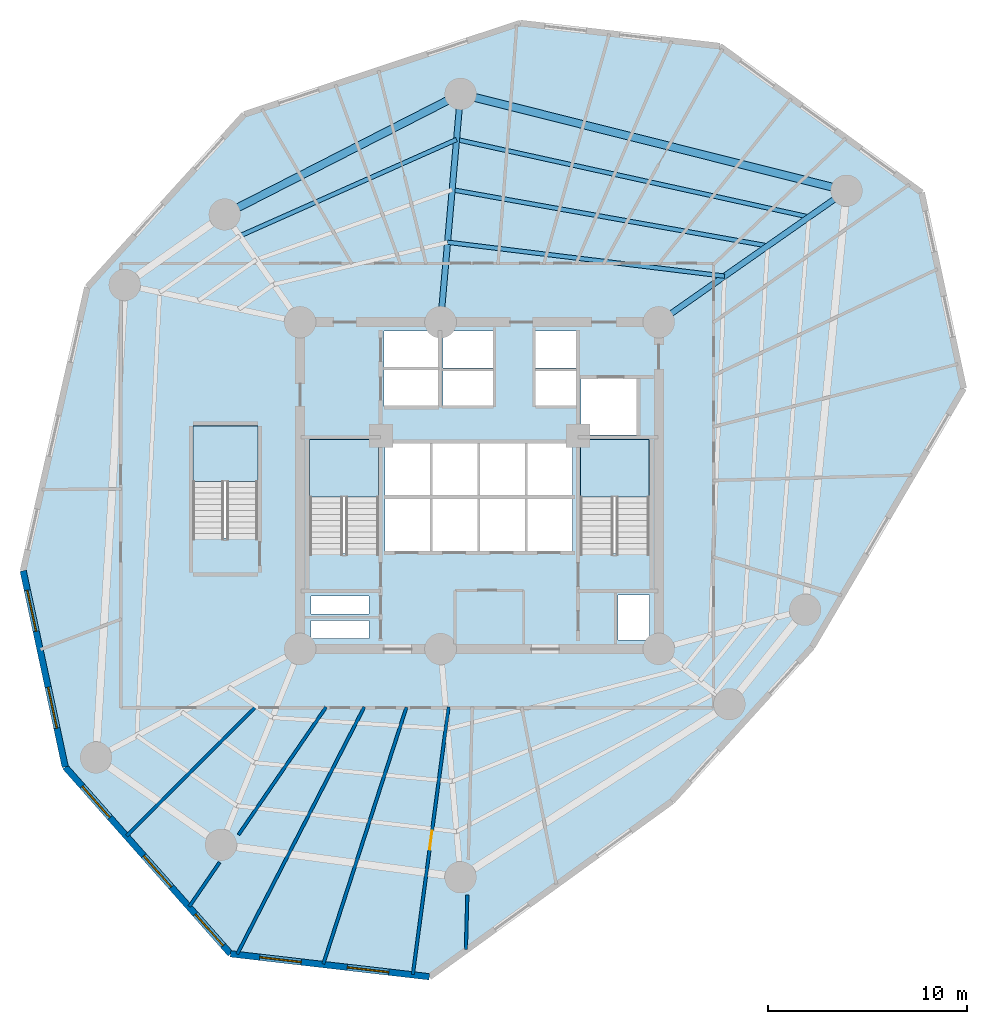
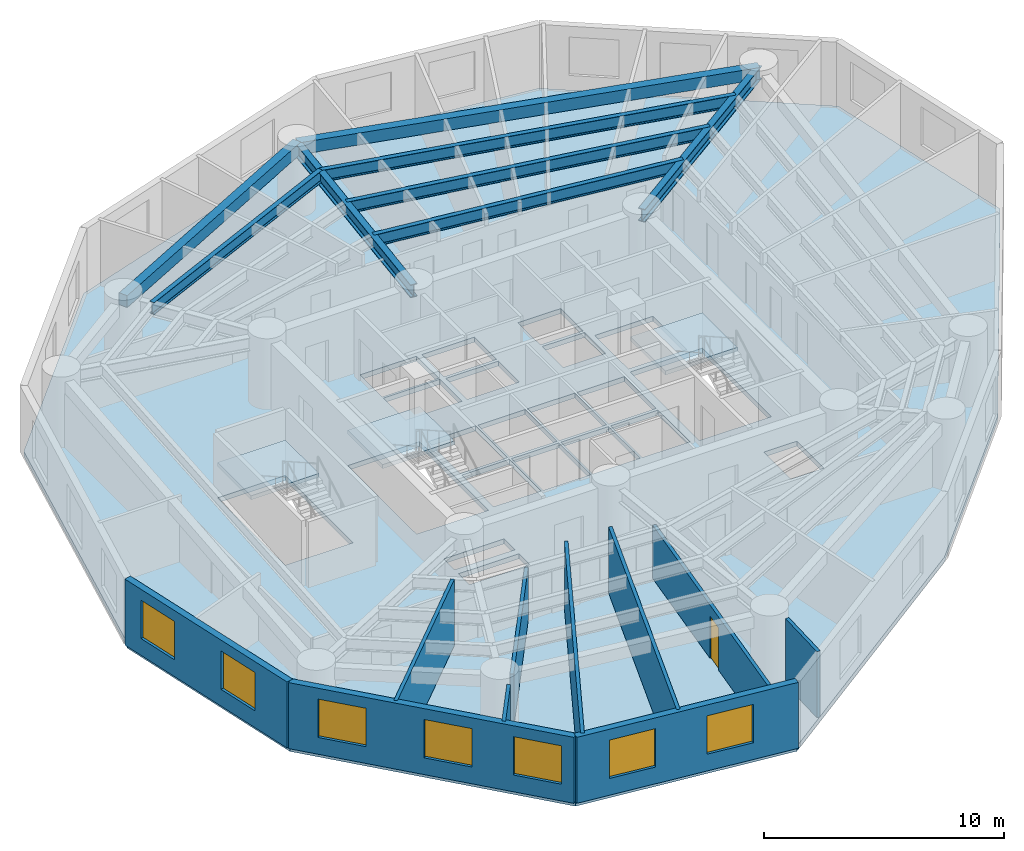
# One storey, part 2 of 7: 10 walls, 8 beams, 7 windows, 4 slabs, 1 door, 8 openings, 3 elements without a shape of their own.
"""IFC4 building model written with IfcOpenShell, lengths in metres."""

from ifc_helpers import new_model, si_unit, direction, frame, frame_2d, origin, origin_with_axes, origin_2d, place, context, subcontext, project, spatial, polyline, rectangle, i_section, outline, extrude, source, transform, mapped, material, layer, layer_set, material_profile, profile_set, type_object, element, fill, aggregate, save


model = new_model("IFC4")

# Units and contexts
model_context = context("Model", 3, precision=1e-05, world=origin(), true_north=direction((0.0, 1.0)))
body_context = subcontext(model_context, "Body", "Model", "MODEL_VIEW")
ifc_project = project(units=[si_unit("LENGTHUNIT", "METRE"), si_unit("AREAUNIT", "SQUARE_METRE"), si_unit("VOLUMEUNIT", "CUBIC_METRE"), si_unit("PLANEANGLEUNIT", "RADIAN"), si_unit("MASSUNIT", "GRAM", prefix="KILO")], contexts=[model_context])

# Site, building, storey
site_placement = place(None, origin())
site = spatial("IfcSite", under=ifc_project, at=site_placement, CompositionType="ELEMENT")
building_placement = place(site_placement, origin())
building = spatial("IfcBuilding", under=site, at=building_placement, Name="Karkom Vertical University and Central Library", CompositionType="ELEMENT")
storey_placement = place(building_placement, frame((0.0, 0.0, 80.5)))
storey = spatial("IfcBuildingStorey", under=building, at=storey_placement, Name="L21", CompositionType="ELEMENT", Elevation=80.5)

# Beams
ifc_material_1 = material(Name="Steel S355", Category="steel")
ifc_material_profile_1 = material_profile(ifc_material_1, i_section(OverallWidth=0.300048828125, OverallDepth=0.64990234375, WebThickness=0.01611328125, FlangeThickness=0.031005859375, FilletRadius=0.027099609375, at=origin_2d()), Name="HE 650 B")
ifc_profile_set_1 = profile_set([ifc_material_profile_1], Name="Steel S355")
beam_type_1 = type_object("IfcBeamType", Name="STR-BM-SB-HE650", PredefinedType="USERDEFINED", material=ifc_profile_set_1)
shared_shape_1 = source(origin_with_axes(), body_context, "Body", "SweptSolid", [
    extrude(i_section(OverallWidth=0.300048828125, OverallDepth=0.64990234375, WebThickness=0.01611328125, FlangeThickness=0.031005859375, FilletRadius=0.027099609375, at=origin_2d()), origin(), (0.0, 0.0, 1.0), 11.49951171875),
])
beam_1_placement = place(storey_placement, frame((37.5, 34.699951171875, 3.02490234375), z_axis=(0.81915012564, 0.573579176457, 0.0), x_axis=(-0.573579176457, 0.81915012564, 0.0)))
element("IfcBeam", 1, at=beam_1_placement, inside=storey, type_object=beam_type_1, Name="Level 21 Radial Frame Girder 02", ObjectType="GIRDER", PredefinedType="USERDEFINED", context=body_context, shape_type="MappedRepresentation", body=[
    mapped(shared_shape_1, transform((0.0, 0.0, 0.0), scale=1.0)),
])
shared_shape_2 = source(origin_with_axes(), body_context, "Body", "SweptSolid", [
    extrude(i_section(OverallWidth=0.300048828125, OverallDepth=0.64990234375, WebThickness=0.01611328125, FlangeThickness=0.031005859375, FilletRadius=0.027099609375, at=origin_2d()), origin(), (0.0, 0.0, 1.0), 11.499755859375),
])
beam_2_placement = place(storey_placement, frame((26.550048828125, 34.699951171875, 3.02490234375), z_axis=(0.087127973109, 0.99619712723, 0.0), x_axis=(-0.99619712723, 0.087127973109, 0.0)))
element("IfcBeam", 2, at=beam_2_placement, inside=storey, type_object=beam_type_1, Name="Level 21 Radial Frame Girder 03", ObjectType="GIRDER", PredefinedType="USERDEFINED", context=body_context, shape_type="MappedRepresentation", body=[
    mapped(shared_shape_2, transform((0.0, 0.0, 0.0), scale=1.0)),
])
ifc_material_2 = material(Name="Precast concrete C45/55", Category="concrete")
ifc_material_profile_2 = material_profile(ifc_material_2, rectangle(XDim=0.39990234375, YDim=0.60009765625, at=origin_2d()), Name="SPB-400x600")
ifc_profile_set_2 = profile_set([ifc_material_profile_2], Name="Precast concrete C45/55")
beam_type_2 = type_object("IfcBeamType", Name="STR-BM-SP-1", PredefinedType="SPANDREL", material=ifc_profile_set_2)
shared_shape_3 = source(origin_with_axes(), body_context, "Body", "SweptSolid", [
    extrude(rectangle(XDim=0.39990234375, YDim=0.60009765625, at=origin_2d()), origin(), (0.0, 0.0, 1.0), 19.968505859375),
])
beam_3_placement = place(storey_placement, frame((46.919921875, 41.2958984375, 3.050048828125), z_axis=(-0.969928522391, 0.243389937039, 0.0), x_axis=(-0.243389937039, -0.969928522391, 0.0)))
element("IfcBeam", 3, at=beam_3_placement, inside=storey, type_object=beam_type_2, Name="Level 21 Perimeter Spandrel Beam 02", PredefinedType="SPANDREL", context=body_context, shape_type="MappedRepresentation", body=[
    mapped(shared_shape_3, transform((0.0, 0.0, 0.0), scale=1.0)),
])
shared_shape_4 = source(origin_with_axes(), body_context, "Body", "SweptSolid", [
    extrude(rectangle(XDim=0.39990234375, YDim=0.60009765625, at=origin_2d()), origin(), (0.0, 0.0, 1.0), 13.29443359375),
])
beam_4_placement = place(storey_placement, frame((27.552001953125, 46.156005859375, 3.050048828125), z_axis=(-0.890447746793, -0.455085497716, 0.0), x_axis=(0.455085497716, -0.890447746793, 0.0)))
element("IfcBeam", 4, at=beam_4_placement, inside=storey, type_object=beam_type_2, Name="Level 21 Perimeter Spandrel Beam 03", PredefinedType="SPANDREL", context=body_context, shape_type="MappedRepresentation", body=[
    mapped(shared_shape_4, transform((0.0, 0.0, 0.0), scale=1.0)),
])
ifc_material_profile_3 = material_profile(ifc_material_1, i_section(OverallWidth=0.219970703125, OverallDepth=0.60009765625, WebThickness=0.011962890625, FlangeThickness=0.01904296875, FilletRadius=0.02392578125, at=origin_2d()), Name="IPE 600")
ifc_profile_set_3 = profile_set([ifc_material_profile_3], Name="Steel S355")
beam_type_3 = type_object("IfcBeamType", Name="STR-BM-SB-IPE600", PredefinedType="BEAM", material=ifc_profile_set_3)
shared_shape_5 = source(origin_with_axes(), body_context, "Body", "SweptSolid", [
    extrude(i_section(OverallWidth=0.219970703125, OverallDepth=0.60009765625, WebThickness=0.011962890625, FlangeThickness=0.01904296875, FilletRadius=0.02392578125, at=origin_2d()), origin(), (0.0, 0.0, 1.0), 14.000244140625),
])
beam_5_placement = place(storey_placement, frame((40.797119140625, 37.008544921875, 3.050048828125), z_axis=(-0.992590166403, 0.121510335198, 0.0), x_axis=(-0.121510335198, -0.992590166403, 0.0)))
element("IfcBeam", 5, at=beam_5_placement, inside=storey, type_object=beam_type_3, Name="Level 21 Secondary Composite Floor Beam 1.02", PredefinedType="BEAM", context=body_context, shape_type="MappedRepresentation", body=[
    mapped(shared_shape_5, transform((0.0, 0.0, 0.0), scale=1.0)),
])
shared_shape_6 = source(origin_with_axes(), body_context, "Body", "SweptSolid", [
    extrude(i_section(OverallWidth=0.219970703125, OverallDepth=0.60009765625, WebThickness=0.011962890625, FlangeThickness=0.01904296875, FilletRadius=0.02392578125, at=origin_2d()), origin(), (0.0, 0.0, 1.0), 16.08154296875),
])
beam_6_placement = place(storey_placement, frame((42.963623046875, 38.525634765625, 3.050048828125), z_axis=(-0.984517708807, 0.175285142111, 0.0), x_axis=(-0.175285142111, -0.984517708807, 0.0)))
element("IfcBeam", 6, at=beam_6_placement, inside=storey, type_object=beam_type_3, Name="Level 21 Secondary Composite Floor Beam 2.02", PredefinedType="BEAM", context=body_context, shape_type="MappedRepresentation", body=[
    mapped(shared_shape_6, transform((0.0, 0.0, 0.0), scale=1.0)),
])
shared_shape_7 = source(origin_with_axes(), body_context, "Body", "SweptSolid", [
    extrude(i_section(OverallWidth=0.219970703125, OverallDepth=0.60009765625, WebThickness=0.011962890625, FlangeThickness=0.01904296875, FilletRadius=0.02392578125, at=origin_2d()), origin(), (0.0, 0.0, 1.0), 18.106689453125),
])
beam_7_placement = place(storey_placement, frame((45.035888671875, 39.976806640625, 3.050048828125), z_axis=(-0.976674731786, 0.214724167926, 0.0), x_axis=(-0.214724167926, -0.976674731786, 0.0)))
element("IfcBeam", 7, at=beam_7_placement, inside=storey, type_object=beam_type_3, Name="Level 21 Secondary Composite Floor Beam 3.02", PredefinedType="BEAM", context=body_context, shape_type="MappedRepresentation", body=[
    mapped(shared_shape_7, transform((0.0, 0.0, 0.0), scale=1.0)),
])
shared_shape_8 = source(origin_with_axes(), body_context, "Body", "SweptSolid", [
    extrude(i_section(OverallWidth=0.219970703125, OverallDepth=0.60009765625, WebThickness=0.011962890625, FlangeThickness=0.01904296875, FilletRadius=0.02392578125, at=origin_2d()), origin(), (0.0, 0.0, 1.0), 11.908203125),
])
beam_8_placement = place(storey_placement, frame((27.3515625, 43.86474609375, 3.050048828125), z_axis=(-0.913682996781, -0.406427584441, 0.0), x_axis=(0.406427584441, -0.913682996781, 0.0)))
element("IfcBeam", 8, at=beam_8_placement, inside=storey, type_object=beam_type_3, Name="Level 21 Secondary Composite Floor Beam 3.03", PredefinedType="BEAM", context=body_context, shape_type="MappedRepresentation", body=[
    mapped(shared_shape_8, transform((0.0, 0.0, 0.0), scale=1.0)),
])

# Stair, slab
ifc_material_3 = material(Name="Concrete C45/55", Category="concrete")
stair_type_1 = type_object("IfcStairType", Name="INT-STR-ST-MAIN", PredefinedType="HALF_TURN_STAIR", material=ifc_material_3)
stair_1_placement = place(storey_placement, origin())
stair_1 = element("IfcStair", 9, at=stair_1_placement, inside=storey, type_object=stair_type_1, Name="Level 21 Tower Protected Exit Stair ST-1", PredefinedType="HALF_TURN_STAIR")
ifc_layer_1 = layer(ifc_material_3, 0.199951171875)
ifc_layer_set_1 = layer_set([ifc_layer_1], Name="Concrete C45/55")
slab_type_1 = type_object("IfcSlabType", Name="INT-SLB-LANDING", PredefinedType="LANDING", material=ifc_layer_set_1)
slab_1_placement = place(storey_placement, frame((0.0, 0.0, 1.60009765625)))
slab_1 = element("IfcSlab", 10, at=slab_1_placement, type_object=slab_type_1, Name="ST-1 landing 1", PredefinedType="LANDING", context=body_context, shape_type="SweptSolid", body=[
    extrude(outline(polyline([(23.43994140625, 25.919921875), (23.43994140625, 28.820068359375), (19.97998046875, 28.820068359375), (19.97998046875, 25.919921875), (23.43994140625, 25.919921875)])), origin(), (0.0, 0.0, 1.0), 0.199951171875),
])
aggregate(stair_1, [slab_1])

stair_2_placement = place(storey_placement, origin())
stair_2 = element("IfcStair", 11, at=stair_2_placement, inside=storey, type_object=stair_type_1, Name="Level 21 Tower Protected Exit Stair ST-2", PredefinedType="HALF_TURN_STAIR")
slab_2_placement = place(storey_placement, frame((0.0, 0.0, 1.60009765625)))
slab_2 = element("IfcSlab", 12, at=slab_2_placement, type_object=slab_type_1, Name="ST-2 landing 1", PredefinedType="LANDING", context=body_context, shape_type="SweptSolid", body=[
    extrude(outline(polyline([(37.02001953125, 25.919921875), (37.02001953125, 28.820068359375), (33.56005859375, 28.820068359375), (33.56005859375, 25.919921875), (37.02001953125, 25.919921875)])), origin(), (0.0, 0.0, 1.0), 0.199951171875),
])
aggregate(stair_2, [slab_2])

stair_type_2 = type_object("IfcStairType", Name="INT-STR-ST-SEC", PredefinedType="HALF_TURN_STAIR", material=ifc_material_3)
stair_3_placement = place(storey_placement, origin())
stair_3 = element("IfcStair", 13, at=stair_3_placement, inside=storey, type_object=stair_type_2, Name="Level 21 Academic Zone Protected Exit Stair ST-3", PredefinedType="HALF_TURN_STAIR")
slab_3_placement = place(storey_placement, frame((0.0, 0.0, 1.60009765625)))
slab_3 = element("IfcSlab", 14, at=slab_3_placement, type_object=slab_type_1, Name="ST-3 landing 1", PredefinedType="LANDING", context=body_context, shape_type="SweptSolid", body=[
    extrude(outline(polyline([(17.3798828125, 26.699951171875), (17.3798828125, 29.5), (14.1201171875, 29.5), (14.1201171875, 26.699951171875), (17.3798828125, 26.699951171875)])), origin(), (0.0, 0.0, 1.0), 0.199951171875),
])
aggregate(stair_3, [slab_3])

# Slab
ifc_layer_2 = layer(ifc_material_3, 0.25)
ifc_layer_set_2 = layer_set([ifc_layer_2], Name="Concrete C45/55")
slab_type_2 = type_object("IfcSlabType", Name="STR-SLB-FLR-250", PredefinedType="FLOOR", material=ifc_layer_set_2)
slab_4_placement = place(storey_placement, frame((0.0, 0.0, -0.25)))
element("IfcSlab", 15, at=slab_4_placement, inside=storey, type_object=slab_type_2, Name="Level 21 Tower Structural Floor Slab", PredefinedType="FLOOR", context=body_context, shape_type="SweptSolid", body=[
    extrude(outline(polyline([(16.7001953125, 45.12158203125), (8.82958984375, 36.453857421875), (5.60205078125, 22.223388671875), (7.71337890625, 12.382080078125), (16.00634765625, 3.00244140625), (25.983642578125, 1.85009765625), (38.161865234375, 10.667236328125), (45.188720703125, 18.406005859375), (52.793701171875, 31.3759765625), (50.686767578125, 41.196044921875), (40.552978515625, 48.548095703125), (30.55419921875, 49.703125), (16.7001953125, 45.12158203125)]), holes=[polyline([(19.97998046875, 23.0849609375), (23.43994140625, 23.0849609375), (23.43994140625, 28.820068359375), (19.97998046875, 28.820068359375), (19.97998046875, 23.0849609375)]), polyline([(33.56005859375, 23.0849609375), (37.02001953125, 23.0849609375), (37.02001953125, 28.820068359375), (33.56005859375, 28.820068359375), (33.56005859375, 23.0849609375)]), polyline([(14.1201171875, 23.864990234375), (17.3798828125, 23.864990234375), (17.3798828125, 29.5), (14.1201171875, 29.5), (14.1201171875, 23.864990234375)]), polyline([(23.75, 23.199951171875), (26.030029296875, 23.199951171875), (26.030029296875, 25.85009765625), (23.75, 25.85009765625), (23.75, 23.199951171875)]), polyline([(26.1298828125, 23.199951171875), (28.409912109375, 23.199951171875), (28.409912109375, 25.85009765625), (26.1298828125, 25.85009765625), (26.1298828125, 23.199951171875)]), polyline([(28.510009765625, 23.199951171875), (30.7900390625, 23.199951171875), (30.7900390625, 25.85009765625), (28.510009765625, 25.85009765625), (28.510009765625, 23.199951171875)]), polyline([(30.889892578125, 23.199951171875), (33.169921875, 23.199951171875), (33.169921875, 25.85009765625), (30.889892578125, 25.85009765625), (30.889892578125, 23.199951171875)]), polyline([(23.75, 26.0), (26.030029296875, 26.0), (26.030029296875, 28.64990234375), (23.75, 28.64990234375), (23.75, 26.0)]), polyline([(26.1298828125, 26.0), (28.409912109375, 26.0), (28.409912109375, 28.64990234375), (26.1298828125, 28.64990234375), (26.1298828125, 26.0)]), polyline([(28.510009765625, 26.0), (30.7900390625, 26.0), (30.7900390625, 28.64990234375), (28.510009765625, 28.64990234375), (28.510009765625, 26.0)]), polyline([(30.889892578125, 26.0), (33.169921875, 26.0), (33.169921875, 28.64990234375), (30.889892578125, 28.64990234375), (30.889892578125, 26.0)]), polyline([(26.679931640625, 30.5), (29.199951171875, 30.5), (29.199951171875, 32.25), (26.679931640625, 32.25), (26.679931640625, 30.5)]), polyline([(26.679931640625, 32.39990234375), (29.199951171875, 32.39990234375), (29.199951171875, 34.25), (26.679931640625, 34.25), (26.679931640625, 32.39990234375)]), polyline([(31.300048828125, 30.5), (33.35009765625, 30.5), (33.35009765625, 32.25), (31.300048828125, 32.25), (31.300048828125, 30.5)]), polyline([(31.300048828125, 32.39990234375), (33.35009765625, 32.39990234375), (33.35009765625, 34.25), (31.300048828125, 34.25), (31.300048828125, 32.39990234375)]), polyline([(23.719970703125, 30.47998046875), (26.429931640625, 30.47998046875), (26.429931640625, 32.320068359375), (23.719970703125, 32.320068359375), (23.719970703125, 30.47998046875)]), polyline([(23.719970703125, 32.419921875), (26.429931640625, 32.419921875), (26.429931640625, 34.260009765625), (23.719970703125, 34.260009765625), (23.719970703125, 32.419921875)]), polyline([(33.60009765625, 29.050048828125), (36.39990234375, 29.050048828125), (36.39990234375, 31.85009765625), (33.60009765625, 31.85009765625), (33.60009765625, 29.050048828125)]), polyline([(20.050048828125, 18.820068359375), (22.949951171875, 18.820068359375), (22.949951171875, 19.719970703125), (20.050048828125, 19.719970703125), (20.050048828125, 18.820068359375)]), polyline([(20.050048828125, 20.06005859375), (22.949951171875, 20.06005859375), (22.949951171875, 20.9599609375), (20.050048828125, 20.9599609375), (20.050048828125, 20.06005859375)]), polyline([(35.4599609375, 18.760009765625), (37.0400390625, 18.760009765625), (37.0400390625, 21.010009765625), (35.4599609375, 21.010009765625), (35.4599609375, 18.760009765625)])]), origin(), (0.0, 0.0, 1.0), 0.25),
])

# Wall, openings, windows
ifc_material_4 = material(Name="Brick-faced precast concrete C45/55", Category="masonry")
ifc_layer_3 = layer(ifc_material_4, 0.320068359375)
ifc_layer_set_3 = layer_set([ifc_layer_3], Name="Brick-faced precast concrete C45/55")
wall_type_1 = type_object("IfcWallType", Name="ENV-WL-BRK-320", PredefinedType="SOLIDWALL", material=ifc_layer_set_3)
wall_1_placement = place(storey_placement, frame((5.60205078125, 22.223388671875, 0.0), z_axis=(0.0, 0.0, 1.0), x_axis=(0.209764304932, -0.977751981014, 0.0)))
wall_1 = element("IfcWall", 16, at=wall_1_placement, inside=storey, type_object=wall_type_1, Name="Level 21 Brick-Faced Precast Facade Wall 03", PredefinedType="SOLIDWALL", context=body_context, shape_type="SweptSolid", body=[
    extrude(rectangle(XDim=10.065185546875, YDim=0.320068359375, at=frame_2d((5.03271484375, 0.0))), origin(), (0.0, 0.0, 1.0), 3.35009765625),
])
opening_1_placement = place(wall_1_placement, frame((1.0, 0.0, 0.85009765625)))
opening_1 = element("IfcOpeningElement", 17, at=opening_1_placement, cuts=wall_1, Name="Opening WN-03", PredefinedType="OPENING", context=body_context, shape_type="SweptSolid", body=[
    extrude(rectangle(XDim=2.10009765625, YDim=1.949951171875, at=frame_2d((1.050048828125, 0.97509765625))), frame((0.0, 0.169921875, 0.0), z_axis=(0.0, -1.0, 0.0), x_axis=(1.0, 0.0, 0.0)), (0.0, 0.0, 1.0), 0.340087890625),
])
opening_2_placement = place(wall_1_placement, frame((5.97265625, 0.0, 0.85009765625)))
opening_2 = element("IfcOpeningElement", 18, at=opening_2_placement, cuts=wall_1, Name="Opening WN-03", PredefinedType="OPENING", context=body_context, shape_type="SweptSolid", body=[
    extrude(rectangle(XDim=2.10009765625, YDim=1.949951171875, at=frame_2d((1.050048828125, 0.97509765625))), frame((0.0, 0.169921875, 0.0), z_axis=(0.0, -1.0, 0.0), x_axis=(1.0, 0.0, 0.0)), (0.0, 0.0, 1.0), 0.340087890625),
])
ifc_material_5 = material(Name="Aluminium thermal-break frame with solar-control IGU", Category="aluminium")
window_type = type_object("IfcWindowType", Name="ENV-WIN-WN-03", PartitioningType="SINGLE_PANEL", PredefinedType="WINDOW", material=ifc_material_5)
shared_shape_9 = source(origin_with_axes(), body_context, "Body", "SweptSolid", [
    extrude(rectangle(XDim=2.10009765625, YDim=1.949951171875, at=frame_2d((1.050048828125, 0.97509765625))), frame((0.0, 0.030029296875, 0.0), z_axis=(0.0, -1.0, 0.0), x_axis=(1.0, 0.0, 0.0)), (0.0, 0.0, 1.0), 0.06005859375),
])
window_1_placement = place(opening_1_placement, origin())
window_1 = element("IfcWindow", 19, at=window_1_placement, inside=storey, type_object=window_type, Name="Level 21 Punched Window 3.1", OverallHeight=1.949951171875, OverallWidth=2.10009765625, PartitioningType="SINGLE_PANEL", PredefinedType="WINDOW", context=body_context, shape_type="MappedRepresentation", body=[
    mapped(shared_shape_9, transform((0.0, 0.0, 0.0), scale=1.0)),
])
fill(opening_1, window_1)
window_2_placement = place(opening_2_placement, origin())
window_2 = element("IfcWindow", 20, at=window_2_placement, inside=storey, type_object=window_type, Name="Level 21 Punched Window 3.2", OverallHeight=1.949951171875, OverallWidth=2.10009765625, PartitioningType="SINGLE_PANEL", PredefinedType="WINDOW", context=body_context, shape_type="MappedRepresentation", body=[
    mapped(shared_shape_9, transform((0.0, 0.0, 0.0), scale=1.0)),
])
fill(opening_2, window_2)

wall_2_placement = place(storey_placement, frame((7.71337890625, 12.382080078125, 0.0), z_axis=(0.0, 0.0, 1.0), x_axis=(0.66237652876, -0.749171098046, 0.0)))
wall_2 = element("IfcWall", 21, at=wall_2_placement, inside=storey, type_object=wall_type_1, Name="Level 21 Brick-Faced Precast Facade Wall 04", PredefinedType="SOLIDWALL", context=body_context, shape_type="SweptSolid", body=[
    extrude(rectangle(XDim=12.52001953125, YDim=0.320068359375, at=frame_2d((6.260009765625, 0.0))), origin(), (0.0, 0.0, 1.0), 3.35009765625),
])
opening_3_placement = place(wall_2_placement, frame((1.29248046875, 0.0, 0.85009765625)))
opening_3 = element("IfcOpeningElement", 22, at=opening_3_placement, cuts=wall_2, Name="Opening WN-03", PredefinedType="OPENING", context=body_context, shape_type="SweptSolid", body=[
    extrude(rectangle(XDim=2.10009765625, YDim=1.949951171875, at=frame_2d((1.050048828125, 0.97509765625))), frame((0.0, 0.169921875, 0.0), z_axis=(0.0, -1.0, 0.0), x_axis=(1.0, 0.0, 0.0)), (0.0, 0.0, 1.0), 0.340087890625),
])
opening_4_placement = place(wall_2_placement, frame((5.944091796875, 0.0, 0.85009765625)))
opening_4 = element("IfcOpeningElement", 23, at=opening_4_placement, cuts=wall_2, Name="Opening WN-03", PredefinedType="OPENING", context=body_context, shape_type="SweptSolid", body=[
    extrude(rectangle(XDim=2.10009765625, YDim=1.949951171875, at=frame_2d((1.050048828125, 0.97509765625))), frame((0.0, 0.169921875, 0.0), z_axis=(0.0, -1.0, 0.0), x_axis=(1.0, 0.0, 0.0)), (0.0, 0.0, 1.0), 0.340087890625),
])
opening_5_placement = place(wall_2_placement, frame((9.861328125, 0.0, 0.85009765625)))
opening_5 = element("IfcOpeningElement", 24, at=opening_5_placement, cuts=wall_2, Name="Opening WN-03", PredefinedType="OPENING", context=body_context, shape_type="SweptSolid", body=[
    extrude(rectangle(XDim=2.10009765625, YDim=1.949951171875, at=frame_2d((1.050048828125, 0.97509765625))), frame((0.0, 0.169921875, 0.0), z_axis=(0.0, -1.0, 0.0), x_axis=(1.0, 0.0, 0.0)), (0.0, 0.0, 1.0), 0.340087890625),
])
window_3_placement = place(opening_3_placement, origin())
window_3 = element("IfcWindow", 25, at=window_3_placement, inside=storey, type_object=window_type, Name="Level 21 Punched Window 4.1", OverallHeight=1.949951171875, OverallWidth=2.10009765625, PartitioningType="SINGLE_PANEL", PredefinedType="WINDOW", context=body_context, shape_type="MappedRepresentation", body=[
    mapped(shared_shape_9, transform((0.0, 0.0, 0.0), scale=1.0)),
])
fill(opening_3, window_3)
window_4_placement = place(opening_4_placement, origin())
window_4 = element("IfcWindow", 26, at=window_4_placement, inside=storey, type_object=window_type, Name="Level 21 Punched Window 4.2", OverallHeight=1.949951171875, OverallWidth=2.10009765625, PartitioningType="SINGLE_PANEL", PredefinedType="WINDOW", context=body_context, shape_type="MappedRepresentation", body=[
    mapped(shared_shape_9, transform((0.0, 0.0, 0.0), scale=1.0)),
])
fill(opening_4, window_4)
window_5_placement = place(opening_5_placement, origin())
window_5 = element("IfcWindow", 27, at=window_5_placement, inside=storey, type_object=window_type, Name="Level 21 Punched Window 4.3", OverallHeight=1.949951171875, OverallWidth=2.10009765625, PartitioningType="SINGLE_PANEL", PredefinedType="WINDOW", context=body_context, shape_type="MappedRepresentation", body=[
    mapped(shared_shape_9, transform((0.0, 0.0, 0.0), scale=1.0)),
])
fill(opening_5, window_5)

wall_3_placement = place(storey_placement, frame((16.00634765625, 3.00244140625, 0.0), z_axis=(0.0, 0.0, 1.0), x_axis=(0.993396261239, -0.114733901511, 0.0)))
wall_3 = element("IfcWall", 28, at=wall_3_placement, inside=storey, type_object=wall_type_1, Name="Level 21 Brick-Faced Precast Facade Wall 05", PredefinedType="SOLIDWALL", context=body_context, shape_type="SweptSolid", body=[
    extrude(rectangle(XDim=10.043701171875, YDim=0.320068359375, at=frame_2d((5.02197265625, 0.0))), origin(), (0.0, 0.0, 1.0), 3.35009765625),
])
opening_6_placement = place(wall_3_placement, frame((1.472412109375, 0.0, 0.85009765625)))
opening_6 = element("IfcOpeningElement", 29, at=opening_6_placement, cuts=wall_3, Name="Opening WN-03", PredefinedType="OPENING", context=body_context, shape_type="SweptSolid", body=[
    extrude(rectangle(XDim=2.10009765625, YDim=1.949951171875, at=frame_2d((1.050048828125, 0.97509765625))), frame((0.0, 0.169921875, 0.0), z_axis=(0.0, -1.0, 0.0), x_axis=(1.0, 0.0, 0.0)), (0.0, 0.0, 1.0), 0.340087890625),
])
opening_7_placement = place(wall_3_placement, frame((5.902099609375, 0.0, 0.85009765625)))
opening_7 = element("IfcOpeningElement", 30, at=opening_7_placement, cuts=wall_3, Name="Opening WN-03", PredefinedType="OPENING", context=body_context, shape_type="SweptSolid", body=[
    extrude(rectangle(XDim=2.10009765625, YDim=1.949951171875, at=frame_2d((1.050048828125, 0.97509765625))), frame((0.0, 0.169921875, 0.0), z_axis=(0.0, -1.0, 0.0), x_axis=(1.0, 0.0, 0.0)), (0.0, 0.0, 1.0), 0.340087890625),
])
window_6_placement = place(opening_6_placement, origin())
window_6 = element("IfcWindow", 31, at=window_6_placement, inside=storey, type_object=window_type, Name="Level 21 Punched Window 5.1", OverallHeight=1.949951171875, OverallWidth=2.10009765625, PartitioningType="SINGLE_PANEL", PredefinedType="WINDOW", context=body_context, shape_type="MappedRepresentation", body=[
    mapped(shared_shape_9, transform((0.0, 0.0, 0.0), scale=1.0)),
])
fill(opening_6, window_6)
window_7_placement = place(opening_7_placement, origin())
window_7 = element("IfcWindow", 32, at=window_7_placement, inside=storey, type_object=window_type, Name="Level 21 Punched Window 5.2", OverallHeight=1.949951171875, OverallWidth=2.10009765625, PartitioningType="SINGLE_PANEL", PredefinedType="WINDOW", context=body_context, shape_type="MappedRepresentation", body=[
    mapped(shared_shape_9, transform((0.0, 0.0, 0.0), scale=1.0)),
])
fill(opening_7, window_7)

# Walls
ifc_material_6 = material(Name="Insulated metal-stud drywall 160mm", Category="gypsum")
ifc_layer_4 = layer(ifc_material_6, 0.159912109375)
ifc_layer_set_4 = layer_set([ifc_layer_4], Name="Insulated metal-stud drywall 160mm")
wall_type_2 = type_object("IfcWallType", Name="INT-WL-COR-160", PredefinedType="PARTITIONING", material=ifc_layer_set_4)
wall_4_placement = place(storey_placement, frame((22.720703125, 15.389892578125, 0.0), z_axis=(0.0, 0.0, 1.0), x_axis=(-0.457245121388, -0.889340710283, 0.0)))
element("IfcWall", 33, at=wall_4_placement, inside=storey, type_object=wall_type_2, Name="Level 21 Interior Partition Wall L21-PW-006", PredefinedType="PARTITIONING", context=body_context, shape_type="SweptSolid", body=[
    extrude(rectangle(XDim=13.93994140625, YDim=0.159912109375, at=frame_2d((6.969970703125, 0.0))), origin(), (0.0, 0.0, 1.0), 3.35009765625),
])
wall_5_placement = place(storey_placement, frame((24.836669921875, 15.37841796875, 0.0), z_axis=(0.0, 0.0, 1.0), x_axis=(-0.308008381895, -0.95138364327, 0.0)))
element("IfcWall", 34, at=wall_5_placement, inside=storey, type_object=wall_type_2, Name="Level 21 Interior Partition Wall L21-PW-007", PredefinedType="PARTITIONING", context=body_context, shape_type="SweptSolid", body=[
    extrude(rectangle(XDim=13.54638671875, YDim=0.159912109375, at=frame_2d((6.773193359375, 0.0))), origin(), (0.0, 0.0, 1.0), 3.35009765625),
])

# Wall, opening, door
wall_6_placement = place(storey_placement, frame((26.9541015625, 15.39453125, 0.0), z_axis=(0.0, 0.0, 1.0), x_axis=(-0.132545089836, -0.99117697671, 0.0)))
wall_6 = element("IfcWall", 35, at=wall_6_placement, inside=storey, type_object=wall_type_2, Name="Level 21 Interior Partition Wall L21-PW-008", PredefinedType="PARTITIONING", context=body_context, shape_type="SweptSolid", body=[
    extrude(rectangle(XDim=13.543701171875, YDim=0.159912109375, at=frame_2d((6.77197265625, 0.0))), origin(), (0.0, 0.0, 1.0), 2.699951171875),
])
opening_8_placement = place(wall_6_placement, frame((6.271728515625, 0.0, 0.0)))
opening_8 = element("IfcOpeningElement", 36, at=opening_8_placement, cuts=wall_6, Name="Opening D-RM1", PredefinedType="OPENING", context=body_context, shape_type="SweptSolid", body=[
    extrude(rectangle(XDim=0.949951171875, YDim=2.14990234375, at=frame_2d((0.47509765625, 1.074951171875))), frame((0.0, 0.08984375, 0.0), z_axis=(0.0, -1.0, 0.0), x_axis=(1.0, 0.0, 0.0)), (0.0, 0.0, 1.0), 0.179931640625),
])
ifc_material_7 = material(Name="Solid-core oak veneer door", Category="wood")
door_type = type_object("IfcDoorType", Name="INT-DR-RM1", OperationType="NOTDEFINED", PredefinedType="DOOR", material=ifc_material_7)
shared_shape_10 = source(origin_with_axes(), body_context, "Body", "SweptSolid", [
    extrude(rectangle(XDim=0.949951171875, YDim=2.14990234375, at=frame_2d((0.47509765625, 1.074951171875))), frame((0.0, 0.02490234375, 0.0), z_axis=(0.0, -1.0, 0.0), x_axis=(1.0, 0.0, 0.0)), (0.0, 0.0, 1.0), 0.050048828125),
])
door_placement = place(opening_8_placement, origin())
door = element("IfcDoor", 37, at=door_placement, inside=storey, type_object=door_type, Name="Level 21 Room Entry Door 060", OperationType="SINGLE_SWING_LEFT", OverallHeight=2.14990234375, OverallWidth=0.949951171875, PredefinedType="DOOR", context=body_context, shape_type="MappedRepresentation", body=[
    mapped(shared_shape_10, transform((0.0, 0.0, 0.0), scale=1.0)),
])
fill(opening_8, door)

# Walls
wall_7_placement = place(storey_placement, frame((17.254638671875, 15.37109375, 0.0), z_axis=(0.0, 0.0, 1.0), x_axis=(-0.708096656989, -0.706115517717, 0.0)))
element("IfcWall", 38, at=wall_7_placement, inside=storey, type_object=wall_type_2, Name="Level 21 Interior Partition Wall L21-PW-003", PredefinedType="PARTITIONING", context=body_context, shape_type="SweptSolid", body=[
    extrude(rectangle(XDim=9.119140625, YDim=0.159912109375, at=frame_2d((4.5595703125, 0.0))), origin(), (0.0, 0.0, 1.0), 3.35009765625),
])
wall_8_placement = place(storey_placement, frame((20.805419921875, 15.38720703125, 0.0), z_axis=(0.0, 0.0, 1.0), x_axis=(-0.565611365644, -0.824671924497, 0.0)))
element("IfcWall", 39, at=wall_8_placement, inside=storey, type_object=wall_type_2, Name="Level 21 Interior Partition Wall L21-PW-004", PredefinedType="PARTITIONING", context=body_context, shape_type="SweptSolid", body=[
    extrude(rectangle(XDim=7.77294921875, YDim=0.159912109375, at=frame_2d((3.886474609375, 0.0))), origin(), (0.0, 0.0, 1.0), 2.699951171875),
])
wall_9_placement = place(storey_placement, frame((27.892333984375, 5.964111328125, 0.0), z_axis=(0.0, 0.0, 1.0), x_axis=(-0.02665600241, -0.999644665636, 0.0)))
element("IfcWall", 40, at=wall_9_placement, inside=storey, type_object=wall_type_2, Name="Level 21 Interior Partition Wall L21-PW-010", PredefinedType="PARTITIONING", context=body_context, shape_type="SweptSolid", body=[
    extrude(rectangle(XDim=2.738525390625, YDim=0.159912109375, at=frame_2d((1.369140625, 0.0))), origin(), (0.0, 0.0, 1.0), 3.35009765625),
])
wall_10_placement = place(storey_placement, frame((15.458984375, 7.592041015625, 0.0), z_axis=(0.0, 0.0, 1.0), x_axis=(-0.565590232977, -0.824686418198, 0.0)))
element("IfcWall", 41, at=wall_10_placement, inside=storey, type_object=wall_type_2, Name="Level 21 Interior Partition Wall L21-PW-005", PredefinedType="PARTITIONING", context=body_context, shape_type="SweptSolid", body=[
    extrude(rectangle(XDim=2.68359375, YDim=0.159912109375, at=frame_2d((1.341796875, 0.0))), origin(), (0.0, 0.0, 1.0), 3.35009765625),
])

save(model, "model.ifc")
